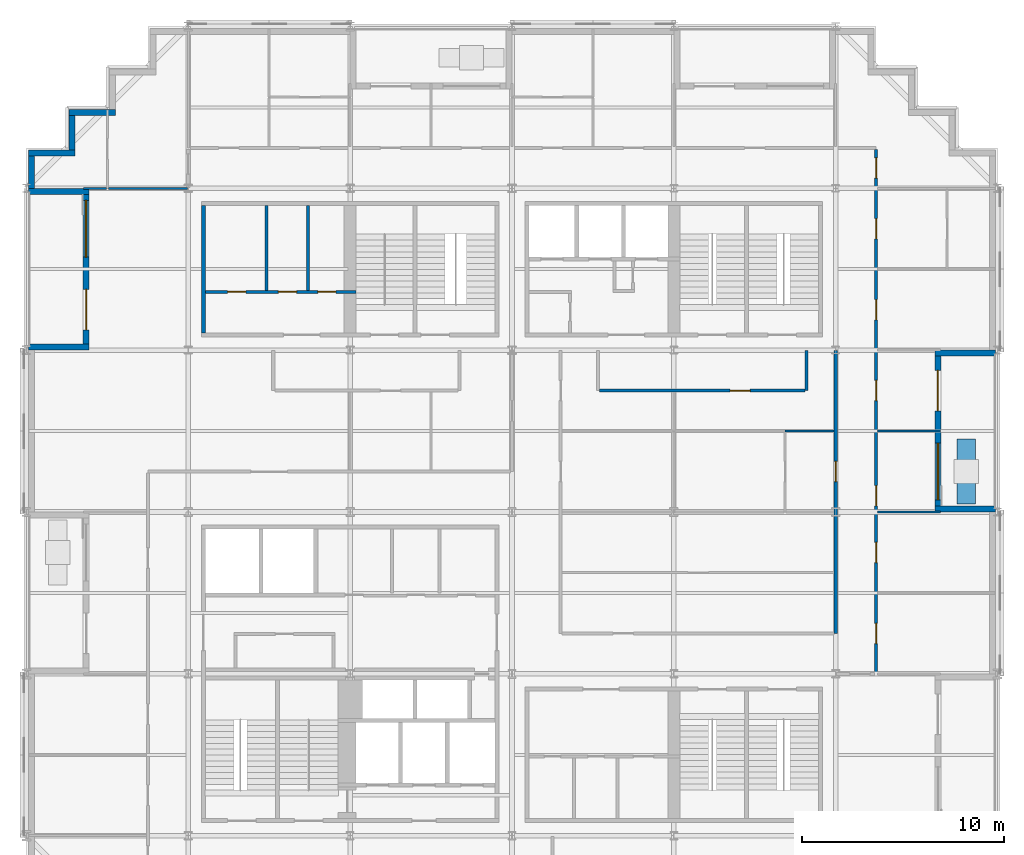
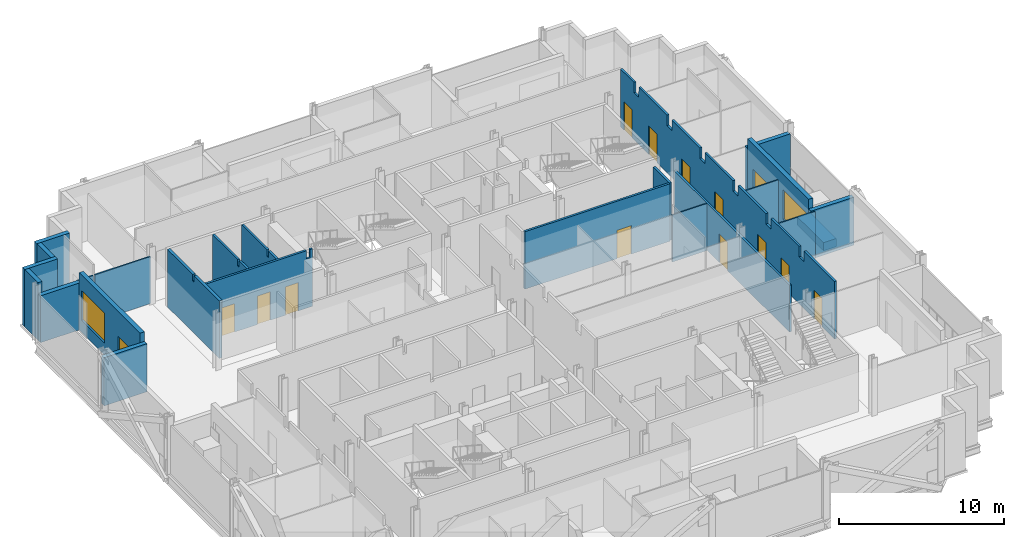
# One storey, part 9 of 15: 24 walls, 14 doors, 2 windows, 16 openings.
"""IFC4 building model written with IfcOpenShell, lengths in metres."""

import ifcopenshell
import ifcopenshell.guid

model = None  # the IFC model being written
_history = None  # IfcOwnerHistory: only IFC2X3 demands one
_inside = {}  # id of a spatial element -> (the spatial element, [elements in it])
_under = {}  # id of a project, library or spatial element -> (it, [spatial elements below it])
_declared = {}  # id of a project -> (the project, [libraries it declares])
_typed = {}  # id of a type object -> (the type object, [elements of that type])
_made_of = {}  # id of a material, layer set ... -> (it, [elements and type objects made of it])


def new_model(schema):
    """Start an empty IFC model of exactly this schema.

    Asked for "IFC4X3", IfcOpenShell would pick the latest addendum, in which some entities
    have other attributes; the version numbers below select the first issue.
    IFC2X3 requires an IfcOwnerHistory on every rooted entity: one is made here for all.
    """
    global model, _history
    if schema == "IFC4X3":
        model = ifcopenshell.file(schema_version=(4, 3, 0, 0))
    else:
        model = ifcopenshell.file(schema=schema)
    _inside.clear()
    _under.clear()
    _declared.clear()
    _typed.clear()
    _made_of.clear()
    _history = None
    if model.schema == "IFC2X3":
        org = make("IfcOrganization", Name="unknown")
        user = make(
            "IfcPersonAndOrganization",
            ThePerson=make("IfcPerson", FamilyName="unknown"),
            TheOrganization=org,
        )
        app = make(
            "IfcApplication",
            ApplicationDeveloper=org,
            Version="unknown",
            ApplicationFullName="unknown",
            ApplicationIdentifier="unknown",
        )
        _history = make(
            "IfcOwnerHistory",
            OwningUser=user,
            OwningApplication=app,
            ChangeAction="ADDED",
            CreationDate=0,
        )
    return model


def make(cls, **values):
    """One entity of the class cls with the attributes given. An attribute that is None is left unset."""
    return model.create_entity(
        cls, **{name: value for name, value in values.items() if value is not None}
    )


def rooted(cls, **values):
    """An entity with a GlobalId (a new one), such as an element, a storey or a relation."""
    return make(cls, GlobalId=ifcopenshell.guid.new(), OwnerHistory=_history, **values)


def si_unit(unit_type, name, prefix=None):
    """IfcSIUnit, for example si_unit("LENGTHUNIT", "METRE", prefix="MILLI")."""
    return make("IfcSIUnit", UnitType=unit_type, Prefix=prefix, Name=name)


def assignment(units):
    """IfcUnitAssignment: the units of a project."""
    return None if units is None else make("IfcUnitAssignment", Units=units)


def point(xyz):
    """IfcCartesianPoint."""
    return None if xyz is None else make("IfcCartesianPoint", Coordinates=xyz)


def direction(xyz):
    """IfcDirection."""
    return None if xyz is None else make("IfcDirection", DirectionRatios=xyz)


def frame(location, z_axis=None, x_axis=None):
    """IfcAxis2Placement3D, a coordinate frame: its origin and axes. An axis left out is left unset."""
    return make(
        "IfcAxis2Placement3D",
        Location=point(location),
        Axis=direction(z_axis),
        RefDirection=direction(x_axis),
    )


def frame_2d(location, x_axis=None):
    """IfcAxis2Placement2D, a coordinate frame in the plane: its origin and x axis."""
    return make(
        "IfcAxis2Placement2D", Location=point(location), RefDirection=direction(x_axis)
    )


def origin():
    """The frame at (0, 0, 0) with its axes left unset."""
    return frame((0.0, 0.0, 0.0))


def place(relative_to, where):
    """IfcLocalPlacement: puts the frame where relative to a parent placement (None: the world)."""
    return make(
        "IfcLocalPlacement", PlacementRelTo=relative_to, RelativePlacement=where
    )


def context(
    kind, dimensions, precision=None, world=None, true_north=None, identifier=None
):
    """IfcGeometricRepresentationContext, for example the 3D "Model" context."""
    return make(
        "IfcGeometricRepresentationContext",
        ContextIdentifier=identifier,
        ContextType=kind,
        CoordinateSpaceDimension=dimensions,
        Precision=precision,
        WorldCoordinateSystem=world,
        TrueNorth=true_north,
    )


def subcontext(parent, identifier, kind, view, scale=None):
    """IfcGeometricRepresentationSubContext, for example "Body" below "Model"."""
    return make(
        "IfcGeometricRepresentationSubContext",
        ContextIdentifier=identifier,
        ContextType=kind,
        ParentContext=parent,
        TargetScale=scale,
        TargetView=view,
    )


def project(units=None, contexts=None):
    """IfcProject with its units and contexts."""
    return rooted(
        "IfcProject",
        Name="project",
        RepresentationContexts=contexts,
        UnitsInContext=assignment(units),
    )


def spatial(cls, under=None, at=None, **own):
    """A site, building, storey or space (cls), placed at a placement, below another one or the project."""
    s = rooted(cls, ObjectPlacement=at, **own)
    if under is not None:
        _under.setdefault(under.id(), (under, []))[1].append(s)
    return s


def polyline(points):
    """IfcPolyline through the points."""
    return make("IfcPolyline", Points=[point(p) for p in points])


def profile(cls, at=None, kind="AREA", **sizes):
    """A parametric profile (cls). Its sizes go by their IFC names, for example OverallWidth=200.0."""
    return make(cls, ProfileType=kind, Position=at, **sizes)


def rectangle(**sizes):
    """IfcRectangleProfileDef."""
    return profile("IfcRectangleProfileDef", **sizes)


def outline(outer, holes=None, kind="AREA"):
    """IfcArbitraryClosedProfileDef: a profile drawn as a closed curve; with holes, ...WithVoids."""
    if holes is None:
        return make("IfcArbitraryClosedProfileDef", ProfileType=kind, OuterCurve=outer)
    return make(
        "IfcArbitraryProfileDefWithVoids",
        ProfileType=kind,
        OuterCurve=outer,
        InnerCurves=holes,
    )


def extrude(swept, where, along, depth):
    """IfcExtrudedAreaSolid: the profile swept, set in the frame where, extruded along a direction by depth."""
    return make(
        "IfcExtrudedAreaSolid",
        SweptArea=swept,
        Position=where,
        ExtrudedDirection=direction(along),
        Depth=depth,
    )


def shape(context_of_items, identifier, shape_type, items):
    """IfcShapeRepresentation: the items that make up one representation, for example the "Body"."""
    return make(
        "IfcShapeRepresentation",
        ContextOfItems=context_of_items,
        RepresentationIdentifier=identifier,
        RepresentationType=shape_type,
        Items=items,
    )


def material(Name=None, Category=None):
    """IfcMaterial."""
    return make("IfcMaterial", Name=Name, Category=Category)


def layer(
    of_material, thickness, ventilated=None, Name=None, Category=None, Priority=None
):
    """IfcMaterialLayer: one layer of a wall or slab, of a material (None: an air gap)."""
    return make(
        "IfcMaterialLayer",
        Material=of_material,
        LayerThickness=thickness,
        IsVentilated=ventilated,
        Name=Name,
        Category=Category,
        Priority=Priority,
    )


def layer_set(layers, Name=None):
    """IfcMaterialLayerSet."""
    return make("IfcMaterialLayerSet", MaterialLayers=layers, LayerSetName=Name)


def made_of(thing, what):
    """Note that an element or type object is made of a material, layer set ...; save() writes the relation."""
    if what is not None:
        _made_of.setdefault(what.id(), (what, []))[1].append(thing)
    return thing


def type_object(cls, material=None, **own):
    """A type object (cls), such as IfcWallType, which elements share."""
    return made_of(rooted(cls, **own), material)


def element(
    cls,
    number,
    at=None,
    inside=None,
    cuts=None,
    type_object=None,
    material=None,
    context=None,
    identifier="Body",
    shape_type=None,
    held_by="IfcProductDefinitionShape",
    body=None,
    shapes=None,
    **own,
):
    """One element of the class cls, such as IfcWall. Its Tag is "e" and its number.

    at: its placement. inside: the storey or other place that contains it. cuts: it is an
    opening in that element (IfcRelVoidsElement). A single representation is given by context,
    identifier, shape_type and body (its items); several are given by shapes. held_by: the class
    of the entity that holds the representations. save() writes the other relations.
    """
    e = rooted(cls, Tag="e%d" % number, ObjectPlacement=at, **own)
    if body is not None:
        shapes = [shape(context, identifier, shape_type, body)]
    if shapes is not None:
        e.Representation = make(held_by, Representations=shapes)
    if inside is not None:
        _inside.setdefault(inside.id(), (inside, []))[1].append(e)
    if cuts is not None:
        rooted(
            "IfcRelVoidsElement", RelatingBuildingElement=cuts, RelatedOpeningElement=e
        )
    if type_object is not None:
        _typed.setdefault(type_object.id(), (type_object, []))[1].append(e)
    return made_of(e, material)


def fill(opening, filler):
    """IfcRelFillsElement: the door or window that sits in an opening."""
    return rooted(
        "IfcRelFillsElement",
        RelatingOpeningElement=opening,
        RelatedBuildingElement=filler,
    )


def aggregate(whole, parts):
    """IfcRelAggregates: a whole, such as a stair, and the parts it consists of."""
    return rooted("IfcRelAggregates", RelatingObject=whole, RelatedObjects=parts)


def save(model, path):
    """Write the relations noted so far, then the file.

    IfcRelAggregates (storeys below a building ...), IfcRelContainedInSpatialStructure (elements
    in a storey), IfcRelDefinesByType, IfcRelAssociatesMaterial and IfcRelDeclares: one each for
    every whole, place, type object, material and project.
    """
    for whole, parts in _under.values():
        aggregate(whole, parts)
    for where, things in _inside.values():
        rooted(
            "IfcRelContainedInSpatialStructure",
            RelatedElements=things,
            RelatingStructure=where,
        )
    for kind, things in _typed.values():
        rooted("IfcRelDefinesByType", RelatedObjects=things, RelatingType=kind)
    for what, things in _made_of.values():
        rooted("IfcRelAssociatesMaterial", RelatedObjects=things, RelatingMaterial=what)
    for by, libraries in _declared.values():
        rooted("IfcRelDeclares", RelatingContext=by, RelatedDefinitions=libraries)
    model.write(path)


model = new_model("IFC4")

# Units and contexts
model_context = context("Model", 3, precision=1e-05, world=origin(), true_north=direction((0.0, 1.0)))
body_context = subcontext(model_context, "Body", "Model", "MODEL_VIEW")
ifc_project = project(units=[si_unit("LENGTHUNIT", "METRE"), si_unit("AREAUNIT", "SQUARE_METRE"), si_unit("VOLUMEUNIT", "CUBIC_METRE"), si_unit("PLANEANGLEUNIT", "RADIAN"), si_unit("MASSUNIT", "GRAM", prefix="KILO")], contexts=[model_context])

# Site, building, storey
site_placement = place(None, origin())
site = spatial("IfcSite", under=ifc_project, at=site_placement, CompositionType="ELEMENT")
building_placement = place(site_placement, origin())
building = spatial("IfcBuilding", under=site, at=building_placement, Name="Immortelle Media Tower", CompositionType="ELEMENT")
storey_placement = place(building_placement, frame((0.0, 0.0, 70.0)))
storey = spatial("IfcBuildingStorey", under=building, at=storey_placement, Name="L12", CompositionType="ELEMENT", Elevation=70.0)

# Wall, openings, doors
ifc_material_1 = material(Name="Fire-rated gypsum board", Category="gypsum")
ifc_layer_1 = layer(ifc_material_1, 0.02490234375)
ifc_material_2 = material(Name="Steel ASTM A653 SS Gr 50 stud frame with mineral wool", Category="steel")
ifc_layer_2 = layer(ifc_material_2, 0.10009765625)
ifc_layer_3 = layer(ifc_material_1, 0.02490234375)
ifc_layer_set_1 = layer_set([ifc_layer_1, ifc_layer_2, ifc_layer_3], Name="Steel ASTM A653 SS Gr 50 stud frame with mineral wool")
wall_type_1 = type_object("IfcWallType", Name="Core partition 150", PredefinedType="PARTITIONING", material=ifc_layer_set_1)
wall_1_placement = place(storey_placement, frame((8.85009765625, 34.875, 0.0), z_axis=(0.0, 0.0, 1.0), x_axis=(1.0, 0.0, 0.0)))
wall_1 = element("IfcWall", 1, at=wall_1_placement, inside=storey, type_object=wall_type_1, Name="Core partition NW", PredefinedType="PARTITIONING", context=body_context, shape_type="SweptSolid", body=[
    extrude(outline(polyline([(0.0, 0.0), (7.449951171875, 0.0), (7.449951171875, 4.25), (7.26953125, 4.25), (7.2685546875, 3.632080078125), (7.031494140625, 3.632080078125), (7.030517578125, 4.25), (0.0, 4.25), (0.0, 0.0)])), frame((0.0, 0.074951171875, 0.0), z_axis=(0.0, -1.0, 0.0), x_axis=(1.0, 0.0, 0.0)), (0.0, 0.0, 1.0), 0.14990234375),
])
opening_1_placement = place(wall_1_placement, frame((1.10009765625, 0.0, 0.0)))
opening_1 = element("IfcOpeningElement", 2, at=opening_1_placement, cuts=wall_1, Name="Opening N3-K043", PredefinedType="OPENING", context=body_context, shape_type="SweptSolid", body=[
    extrude(rectangle(XDim=0.89990234375, YDim=2.10009765625, at=frame_2d((0.449951171875, 1.050048828125))), frame((0.0, 0.0849609375, 0.0), z_axis=(0.0, -1.0, 0.0), x_axis=(1.0, 0.0, 0.0)), (0.0, 0.0, 1.0), 0.169921875),
])
opening_2_placement = place(wall_1_placement, frame((3.60009765625, 0.0, 0.0)))
opening_2 = element("IfcOpeningElement", 3, at=opening_2_placement, cuts=wall_1, Name="Opening N3-K044", PredefinedType="OPENING", context=body_context, shape_type="SweptSolid", body=[
    extrude(rectangle(XDim=0.89990234375, YDim=2.10009765625, at=frame_2d((0.449951171875, 1.050048828125))), frame((0.0, 0.0849609375, 0.0), z_axis=(0.0, -1.0, 0.0), x_axis=(1.0, 0.0, 0.0)), (0.0, 0.0, 1.0), 0.169921875),
])
opening_3_placement = place(wall_1_placement, frame((5.550048828125, 0.0, 0.0)))
opening_3 = element("IfcOpeningElement", 4, at=opening_3_placement, cuts=wall_1, Name="Opening N3-K045", PredefinedType="OPENING", context=body_context, shape_type="SweptSolid", body=[
    extrude(rectangle(XDim=0.89990234375, YDim=2.10009765625, at=frame_2d((0.449951171875, 1.050048828125))), frame((0.0, 0.0849609375, 0.0), z_axis=(0.0, -1.0, 0.0), x_axis=(1.0, 0.0, 0.0)), (0.0, 0.0, 1.0), 0.169921875),
])
ifc_material_3 = material(Name="Timber", Category="wood")
door_type_1 = type_object("IfcDoorType", Name="Room door 900 x 2100", OperationType="NOTDEFINED", PredefinedType="NOTDEFINED", material=ifc_material_3)
door_1_placement = place(opening_1_placement, origin())
door_1 = element("IfcDoor", 5, at=door_1_placement, inside=storey, type_object=door_type_1, Name="Room N3-K043", OperationType="SINGLE_SWING_RIGHT", OverallHeight=2.10009765625, OverallWidth=0.89990234375, PredefinedType="NOTDEFINED", context=body_context, shape_type="SweptSolid", body=[
    extrude(rectangle(XDim=0.89990234375, YDim=2.10009765625, at=frame_2d((0.449951171875, 1.050048828125))), frame((0.0, 0.02490234375, 0.0), z_axis=(0.0, -1.0, 0.0), x_axis=(1.0, 0.0, 0.0)), (0.0, 0.0, 1.0), 0.050048828125),
])
fill(opening_1, door_1)
door_2_placement = place(opening_2_placement, origin())
door_2 = element("IfcDoor", 6, at=door_2_placement, inside=storey, type_object=door_type_1, Name="Room N3-K044", OperationType="SINGLE_SWING_RIGHT", OverallHeight=2.10009765625, OverallWidth=0.89990234375, PredefinedType="NOTDEFINED", context=body_context, shape_type="SweptSolid", body=[
    extrude(rectangle(XDim=0.89990234375, YDim=2.10009765625, at=frame_2d((0.449951171875, 1.050048828125))), frame((0.0, 0.02490234375, 0.0), z_axis=(0.0, -1.0, 0.0), x_axis=(1.0, 0.0, 0.0)), (0.0, 0.0, 1.0), 0.050048828125),
])
fill(opening_2, door_2)
ifc_material_4 = material(Name="Galvanised steel door leaf and frame ASTM A653", Category="steel")
door_type_2 = type_object("IfcDoorType", Name="Service door 900 x 2100", OperationType="NOTDEFINED", PredefinedType="NOTDEFINED", material=ifc_material_4)
door_3_placement = place(opening_3_placement, origin())
door_3 = element("IfcDoor", 7, at=door_3_placement, inside=storey, type_object=door_type_2, Name="Service N3-K045", OperationType="SINGLE_SWING_LEFT", OverallHeight=2.10009765625, OverallWidth=0.89990234375, PredefinedType="NOTDEFINED", context=body_context, shape_type="SweptSolid", body=[
    extrude(rectangle(XDim=0.89990234375, YDim=2.10009765625, at=frame_2d((0.449951171875, 1.050048828125))), frame((0.0, 0.02490234375, 0.0), z_axis=(0.0, -1.0, 0.0), x_axis=(1.0, 0.0, 0.0)), (0.0, 0.0, 1.0), 0.050048828125),
])
fill(opening_3, door_3)

# Walls
for number, where, z_axis, x_axis, name in (
    (8, (11.875, 34.949951171875, 0.0), (0.0, 0.0, 1.0), (0.0, 1.0, 0.0), "Core partition NW"),
    (9, (13.925048828125, 34.949951171875, 0.0), (0.0, 0.0, 1.0), (0.0, 1.0, 0.0), "Core partition NW"),
):
    element("IfcWall", number, at=place(storey_placement, frame(where, z_axis=z_axis, x_axis=x_axis)), inside=storey, type_object=wall_type_1, Name=name, PredefinedType="PARTITIONING", context=body_context, shape_type="SweptSolid", body=[
        extrude(outline(polyline([(0.0, 0.0), (4.199951171875, 0.0), (4.199951171875, 4.25), (1.131591796875, 4.25), (1.130615234375, 3.7890625), (0.969482421875, 3.7890625), (0.968505859375, 4.25), (0.0, 4.25), (0.0, 0.0)])), frame((0.0, 0.074951171875, 0.0), z_axis=(0.0, -1.0, 0.0), x_axis=(1.0, 0.0, 0.0)), (0.0, 0.0, 1.0), 0.14990234375),
    ])
ifc_layer_4 = layer(ifc_material_1, 0.03759765625)
ifc_layer_5 = layer(ifc_material_2, 0.125)
ifc_layer_6 = layer(ifc_material_1, 0.03759765625)
ifc_layer_set_2 = layer_set([ifc_layer_4, ifc_layer_5, ifc_layer_6], Name="Steel ASTM A653 SS Gr 50 stud frame with mineral wool")
wall_type_2 = type_object("IfcWallType", Name="Core shaft wall 200", PredefinedType="PARTITIONING", material=ifc_layer_set_2)
wall_2_placement = place(storey_placement, frame((8.75, 32.85009765625, 0.0), z_axis=(0.0, 0.0, 1.0), x_axis=(0.0, 1.0, 0.0)))
element("IfcWall", 10, at=wall_2_placement, inside=storey, type_object=wall_type_2, Name="Core shaft wall NW", PredefinedType="PARTITIONING", context=body_context, shape_type="SweptSolid", body=[
    extrude(outline(polyline([(0.0, 0.0), (6.2998046875, 0.0), (6.300048828125, 4.25), (3.2314453125, 4.25), (3.23046875, 3.7890625), (3.069580078125, 3.7890625), (3.068603515625, 4.25), (0.0, 4.25), (0.0, 0.0)])), frame((0.0, 0.10009765625, 0.0), z_axis=(0.0, -1.0, 0.0), x_axis=(1.0, 0.0, 0.0)), (0.0, 0.0, 1.0), 0.199951171875),
])

# Wall, openings, doors
ifc_layer_7 = layer(ifc_material_1, 0.012451171875)
ifc_layer_8 = layer(ifc_material_2, 0.125)
ifc_layer_9 = layer(ifc_material_1, 0.012451171875)
ifc_layer_set_3 = layer_set([ifc_layer_7, ifc_layer_8, ifc_layer_9], Name="Steel ASTM A653 SS Gr 50 stud frame with mineral wool")
wall_type_3 = type_object("IfcWallType", Name="Corridor wall 150", PredefinedType="PARTITIONING", material=ifc_layer_set_3)
wall_3_placement = place(storey_placement, frame((42.0, 16.0, 0.0), z_axis=(0.0, 0.0, 1.0), x_axis=(0.0, 1.0, 0.0)))
wall_3 = element("IfcWall", 11, at=wall_3_placement, inside=storey, type_object=wall_type_3, Name="Partition L12-017", PredefinedType="PARTITIONING", context=body_context, shape_type="SweptSolid", body=[
    extrude(outline(polyline([(0.0, 0.0), (25.925048828125, 0.0), (25.925048828125, 4.25), (24.300048828125, 4.25), (24.298095703125, 3.469970703125), (23.701904296875, 3.469970703125), (23.699951171875, 4.25), (20.300048828125, 4.25), (20.298095703125, 3.469970703125), (19.701904296875, 3.469970703125), (19.699951171875, 4.25), (16.300048828125, 4.25), (16.298095703125, 3.469970703125), (15.701904296875, 3.469970703125), (15.699951171875, 4.25), (12.300048828125, 4.25), (12.298095703125, 3.469970703125), (11.701904296875, 3.469970703125), (11.699951171875, 4.25), (8.300048828125, 4.25), (8.298095703125, 3.469970703125), (7.701904296875, 3.469970703125), (7.699951171875, 4.25), (4.300048828125, 4.25), (4.298095703125, 3.469970703125), (3.701904296875, 3.469970703125), (3.699951171875, 4.25), (0.0, 4.25), (0.0, 0.0)])), frame((0.0, 0.074951171875, 0.0), z_axis=(0.0, -1.0, 0.0), x_axis=(1.0, 0.0, 0.0)), (0.0, 0.0, 1.0), 0.14990234375),
])
opening_4_placement = place(wall_3_placement, frame((2.5, 0.0, 0.0), z_axis=(0.0, 0.0, 1.0), x_axis=(-1.0, 0.0, 0.0)))
opening_4 = element("IfcOpeningElement", 12, at=opening_4_placement, cuts=wall_3, Name="Opening N3-F012", PredefinedType="OPENING", context=body_context, shape_type="SweptSolid", body=[
    extrude(rectangle(XDim=1.0, YDim=2.10009765625, at=frame_2d((0.5, 1.050048828125))), frame((0.0, 0.0849609375, 0.0), z_axis=(0.0, -1.0, 0.0), x_axis=(1.0, 0.0, 0.0)), (0.0, 0.0, 1.0), 0.169921875),
])
opening_5_placement = place(wall_3_placement, frame((6.5, 0.0, 0.0), z_axis=(0.0, 0.0, 1.0), x_axis=(-1.0, 0.0, 0.0)))
opening_5 = element("IfcOpeningElement", 13, at=opening_5_placement, cuts=wall_3, Name="Opening N3-F013", PredefinedType="OPENING", context=body_context, shape_type="SweptSolid", body=[
    extrude(rectangle(XDim=1.0, YDim=2.10009765625, at=frame_2d((0.5, 1.050048828125))), frame((0.0, 0.0849609375, 0.0), z_axis=(0.0, -1.0, 0.0), x_axis=(1.0, 0.0, 0.0)), (0.0, 0.0, 1.0), 0.169921875),
])
opening_6_placement = place(wall_3_placement, frame((9.300048828125, 0.0, 0.0), z_axis=(0.0, 0.0, 1.0), x_axis=(-1.0, 0.0, 0.0)))
opening_6 = element("IfcOpeningElement", 14, at=opening_6_placement, cuts=wall_3, Name="Opening N3-F021", PredefinedType="OPENING", context=body_context, shape_type="SweptSolid", body=[
    extrude(rectangle(XDim=1.0, YDim=2.10009765625, at=frame_2d((0.5, 1.050048828125))), frame((0.0, 0.0849609375, 0.0), z_axis=(0.0, -1.0, 0.0), x_axis=(1.0, 0.0, 0.0)), (0.0, 0.0, 1.0), 0.169921875),
])
opening_7_placement = place(wall_3_placement, frame((14.5, 0.0, 0.0), z_axis=(0.0, 0.0, 1.0), x_axis=(-1.0, 0.0, 0.0)))
opening_7 = element("IfcOpeningElement", 15, at=opening_7_placement, cuts=wall_3, Name="Opening N3-F022", PredefinedType="OPENING", context=body_context, shape_type="SweptSolid", body=[
    extrude(rectangle(XDim=1.0, YDim=2.10009765625, at=frame_2d((0.5, 1.050048828125))), frame((0.0, 0.0849609375, 0.0), z_axis=(0.0, -1.0, 0.0), x_axis=(1.0, 0.0, 0.0)), (0.0, 0.0, 1.0), 0.169921875),
])
opening_8_placement = place(wall_3_placement, frame((18.5, 0.0, 0.0), z_axis=(0.0, 0.0, 1.0), x_axis=(-1.0, 0.0, 0.0)))
opening_8 = element("IfcOpeningElement", 16, at=opening_8_placement, cuts=wall_3, Name="Opening N3-F026", PredefinedType="OPENING", context=body_context, shape_type="SweptSolid", body=[
    extrude(rectangle(XDim=1.0, YDim=2.10009765625, at=frame_2d((0.5, 1.050048828125))), frame((0.0, 0.0849609375, 0.0), z_axis=(0.0, -1.0, 0.0), x_axis=(1.0, 0.0, 0.0)), (0.0, 0.0, 1.0), 0.169921875),
])
opening_9_placement = place(wall_3_placement, frame((22.5, 0.0, 0.0), z_axis=(0.0, 0.0, 1.0), x_axis=(-1.0, 0.0, 0.0)))
opening_9 = element("IfcOpeningElement", 17, at=opening_9_placement, cuts=wall_3, Name="Opening N3-F027", PredefinedType="OPENING", context=body_context, shape_type="SweptSolid", body=[
    extrude(rectangle(XDim=1.0, YDim=2.10009765625, at=frame_2d((0.5, 1.050048828125))), frame((0.0, 0.0849609375, 0.0), z_axis=(0.0, -1.0, 0.0), x_axis=(1.0, 0.0, 0.0)), (0.0, 0.0, 1.0), 0.169921875),
])
opening_10_placement = place(wall_3_placement, frame((25.5, 0.0, 0.0), z_axis=(0.0, 0.0, 1.0), x_axis=(-1.0, 0.0, 0.0)))
opening_10 = element("IfcOpeningElement", 18, at=opening_10_placement, cuts=wall_3, Name="Opening N3-F031", PredefinedType="OPENING", context=body_context, shape_type="SweptSolid", body=[
    extrude(rectangle(XDim=1.0, YDim=2.10009765625, at=frame_2d((0.5, 1.050048828125))), frame((0.0, 0.0849609375, 0.0), z_axis=(0.0, -1.0, 0.0), x_axis=(1.0, 0.0, 0.0)), (0.0, 0.0, 1.0), 0.169921875),
])
ifc_material_5 = material(Name="Timber veneered door leaf, galvanised steel frame ASTM A653", Category="steel")
door_type_3 = type_object("IfcDoorType", Name="Room door 1000 x 2100", OperationType="NOTDEFINED", PredefinedType="DOOR", material=ifc_material_5)
door_4_placement = place(opening_4_placement, origin())
door_4 = element("IfcDoor", 19, at=door_4_placement, inside=storey, type_object=door_type_3, Name="Door N3-F012", OperationType="SINGLE_SWING_RIGHT", OverallHeight=2.10009765625, OverallWidth=1.0, PredefinedType="DOOR", context=body_context, shape_type="SweptSolid", body=[
    extrude(rectangle(XDim=1.0, YDim=2.10009765625, at=frame_2d((0.5, 1.050048828125))), frame((0.0, 0.02490234375, 0.0), z_axis=(0.0, -1.0, 0.0), x_axis=(1.0, 0.0, 0.0)), (0.0, 0.0, 1.0), 0.050048828125),
])
fill(opening_4, door_4)
door_5_placement = place(opening_5_placement, origin())
door_5 = element("IfcDoor", 20, at=door_5_placement, inside=storey, type_object=door_type_3, Name="Door N3-F013", OperationType="SINGLE_SWING_LEFT", OverallHeight=2.10009765625, OverallWidth=1.0, PredefinedType="DOOR", context=body_context, shape_type="SweptSolid", body=[
    extrude(rectangle(XDim=1.0, YDim=2.10009765625, at=frame_2d((0.5, 1.050048828125))), frame((0.0, 0.02490234375, 0.0), z_axis=(0.0, -1.0, 0.0), x_axis=(1.0, 0.0, 0.0)), (0.0, 0.0, 1.0), 0.050048828125),
])
fill(opening_5, door_5)
door_6_placement = place(opening_6_placement, origin())
door_6 = element("IfcDoor", 21, at=door_6_placement, inside=storey, type_object=door_type_3, Name="Door N3-F021", OperationType="SINGLE_SWING_RIGHT", OverallHeight=2.10009765625, OverallWidth=1.0, PredefinedType="DOOR", context=body_context, shape_type="SweptSolid", body=[
    extrude(rectangle(XDim=1.0, YDim=2.10009765625, at=frame_2d((0.5, 1.050048828125))), frame((0.0, 0.02490234375, 0.0), z_axis=(0.0, -1.0, 0.0), x_axis=(1.0, 0.0, 0.0)), (0.0, 0.0, 1.0), 0.050048828125),
])
fill(opening_6, door_6)
door_7_placement = place(opening_7_placement, origin())
door_7 = element("IfcDoor", 22, at=door_7_placement, inside=storey, type_object=door_type_3, Name="Door N3-F022", OperationType="SINGLE_SWING_RIGHT", OverallHeight=2.10009765625, OverallWidth=1.0, PredefinedType="DOOR", context=body_context, shape_type="SweptSolid", body=[
    extrude(rectangle(XDim=1.0, YDim=2.10009765625, at=frame_2d((0.5, 1.050048828125))), frame((0.0, 0.02490234375, 0.0), z_axis=(0.0, -1.0, 0.0), x_axis=(1.0, 0.0, 0.0)), (0.0, 0.0, 1.0), 0.050048828125),
])
fill(opening_7, door_7)
door_8_placement = place(opening_8_placement, origin())
door_8 = element("IfcDoor", 23, at=door_8_placement, inside=storey, type_object=door_type_3, Name="Door N3-F026", OperationType="SINGLE_SWING_LEFT", OverallHeight=2.10009765625, OverallWidth=1.0, PredefinedType="DOOR", context=body_context, shape_type="SweptSolid", body=[
    extrude(rectangle(XDim=1.0, YDim=2.10009765625, at=frame_2d((0.5, 1.050048828125))), frame((0.0, 0.02490234375, 0.0), z_axis=(0.0, -1.0, 0.0), x_axis=(1.0, 0.0, 0.0)), (0.0, 0.0, 1.0), 0.050048828125),
])
fill(opening_8, door_8)
door_9_placement = place(opening_9_placement, origin())
door_9 = element("IfcDoor", 24, at=door_9_placement, inside=storey, type_object=door_type_3, Name="Door N3-F027", OperationType="SINGLE_SWING_RIGHT", OverallHeight=2.10009765625, OverallWidth=1.0, PredefinedType="DOOR", context=body_context, shape_type="SweptSolid", body=[
    extrude(rectangle(XDim=1.0, YDim=2.10009765625, at=frame_2d((0.5, 1.050048828125))), frame((0.0, 0.02490234375, 0.0), z_axis=(0.0, -1.0, 0.0), x_axis=(1.0, 0.0, 0.0)), (0.0, 0.0, 1.0), 0.050048828125),
])
fill(opening_9, door_9)
door_10_placement = place(opening_10_placement, origin())
door_10 = element("IfcDoor", 25, at=door_10_placement, inside=storey, type_object=door_type_3, Name="Door N3-F031", OperationType="SINGLE_SWING_RIGHT", OverallHeight=2.10009765625, OverallWidth=1.0, PredefinedType="DOOR", context=body_context, shape_type="SweptSolid", body=[
    extrude(rectangle(XDim=1.0, YDim=2.10009765625, at=frame_2d((0.5, 1.050048828125))), frame((0.0, 0.02490234375, 0.0), z_axis=(0.0, -1.0, 0.0), x_axis=(1.0, 0.0, 0.0)), (0.0, 0.0, 1.0), 0.050048828125),
])
fill(opening_10, door_10)

# Wall, opening, door
wall_4_placement = place(storey_placement, frame((40.0, 18.0, 0.0), z_axis=(0.0, 0.0, 1.0), x_axis=(0.0, 1.0, 0.0)))
wall_4 = element("IfcWall", 26, at=wall_4_placement, inside=storey, type_object=wall_type_3, Name="Partition L12-020", PredefinedType="PARTITIONING", context=body_context, shape_type="SweptSolid", body=[
    extrude(rectangle(XDim=13.969970703125, YDim=0.14990234375, at=frame_2d((6.98486328125, 0.0))), origin(), (0.0, 0.0, 1.0), 3.469970703125),
])
opening_11_placement = place(wall_4_placement, frame((7.5, 0.0, 0.0)))
opening_11 = element("IfcOpeningElement", 27, at=opening_11_placement, cuts=wall_4, Name="Opening N3-F016", PredefinedType="OPENING", context=body_context, shape_type="SweptSolid", body=[
    extrude(rectangle(XDim=1.0, YDim=2.10009765625, at=frame_2d((0.5, 1.050048828125))), frame((0.0, 0.0849609375, 0.0), z_axis=(0.0, -1.0, 0.0), x_axis=(1.0, 0.0, 0.0)), (0.0, 0.0, 1.0), 0.169921875),
])
door_11_placement = place(opening_11_placement, origin())
door_11 = element("IfcDoor", 28, at=door_11_placement, inside=storey, type_object=door_type_3, Name="Door N3-F016", OperationType="SINGLE_SWING_RIGHT", OverallHeight=2.10009765625, OverallWidth=1.0, PredefinedType="DOOR", context=body_context, shape_type="SweptSolid", body=[
    extrude(rectangle(XDim=1.0, YDim=2.10009765625, at=frame_2d((0.5, 1.050048828125))), frame((0.0, 0.02490234375, 0.0), z_axis=(0.0, -1.0, 0.0), x_axis=(1.0, 0.0, 0.0)), (0.0, 0.0, 1.0), 0.050048828125),
])
fill(opening_11, door_11)

wall_5_placement = place(storey_placement, frame((28.324951171875, 30.0, 0.0), z_axis=(0.0, 0.0, 1.0), x_axis=(1.0, 0.0, 0.0)))
wall_5 = element("IfcWall", 29, at=wall_5_placement, inside=storey, type_object=wall_type_3, Name="Partition L12-042", PredefinedType="PARTITIONING", context=body_context, shape_type="SweptSolid", body=[
    extrude(rectangle(XDim=10.150146484375, YDim=0.14990234375, at=frame_2d((5.0751953125, 0.0))), origin(), (0.0, 0.0, 1.0), 4.25),
])
opening_12_placement = place(wall_5_placement, frame((7.449951171875, 0.0, 0.0), z_axis=(0.0, 0.0, 1.0), x_axis=(-1.0, 0.0, 0.0)))
opening_12 = element("IfcOpeningElement", 30, at=opening_12_placement, cuts=wall_5, Name="Opening N3-F018", PredefinedType="OPENING", context=body_context, shape_type="SweptSolid", body=[
    extrude(rectangle(XDim=1.0, YDim=2.10009765625, at=frame_2d((0.5, 1.050048828125))), frame((0.0, 0.0849609375, 0.0), z_axis=(0.0, -1.0, 0.0), x_axis=(1.0, 0.0, 0.0)), (0.0, 0.0, 1.0), 0.169921875),
])
door_12_placement = place(opening_12_placement, origin())
door_12 = element("IfcDoor", 31, at=door_12_placement, inside=storey, type_object=door_type_3, Name="Door N3-F018", OperationType="SINGLE_SWING_RIGHT", OverallHeight=2.10009765625, OverallWidth=1.0, PredefinedType="DOOR", context=body_context, shape_type="SweptSolid", body=[
    extrude(rectangle(XDim=1.0, YDim=2.10009765625, at=frame_2d((0.5, 1.050048828125))), frame((0.0, 0.02490234375, 0.0), z_axis=(0.0, -1.0, 0.0), x_axis=(1.0, 0.0, 0.0)), (0.0, 0.0, 1.0), 0.050048828125),
])
fill(opening_12, door_12)

# Walls
wall_6_placement = place(storey_placement, frame((38.550048828125, 30.0, 0.0), z_axis=(0.0, 0.0, 1.0), x_axis=(0.0, 1.0, 0.0)))
element("IfcWall", 32, at=wall_6_placement, inside=storey, type_object=wall_type_3, Name="Partition L12-044", PredefinedType="PARTITIONING", context=body_context, shape_type="SweptSolid", body=[
    extrude(rectangle(XDim=1.969970703125, YDim=0.14990234375, at=frame_2d((0.98486328125, 0.0))), origin(), (0.0, 0.0, 1.0), 4.25),
])
ifc_material_6 = material(Name="Pale aluminium cladding panel", Category="aluminium")
ifc_layer_10 = layer(ifc_material_6, 0.030029296875)
ifc_layer_11 = layer(ifc_material_2, 0.257568359375)
ifc_material_7 = material(Name="Moisture-resistant gypsum board", Category="gypsum")
ifc_layer_12 = layer(ifc_material_7, 0.012451171875)
ifc_layer_set_4 = layer_set([ifc_layer_10, ifc_layer_11, ifc_layer_12], Name="Steel ASTM A653 SS Gr 50 stud frame with mineral wool")
wall_type_4 = type_object("IfcWallType", Name="Facade wall 300", PredefinedType="SOLIDWALL", material=ifc_layer_set_4)
wall_7_placement = place(storey_placement, frame((0.25, 41.60009765625, 0.0), z_axis=(0.0, 0.0, 1.0), x_axis=(0.0, -1.0, 0.0)))
element("IfcWall", 33, at=wall_7_placement, inside=storey, type_object=wall_type_4, Name="Facade wall L12 W0", PredefinedType="SOLIDWALL", context=body_context, shape_type="SweptSolid", body=[
    extrude(rectangle(XDim=1.60009765625, YDim=0.300048828125, at=frame_2d((0.800048828125, 0.0))), origin(), (0.0, 0.0, 1.0), 4.25),
])

# Wall, openings, door, window
wall_8_placement = place(storey_placement, frame((2.949951171875, 39.699951171875, 0.0), z_axis=(0.0, 0.0, 1.0), x_axis=(0.0, -1.0, 0.0)))
wall_8 = element("IfcWall", 34, at=wall_8_placement, inside=storey, type_object=wall_type_4, Name="Loggia wall L12 W0", PredefinedType="SOLIDWALL", context=body_context, shape_type="SweptSolid", body=[
    extrude(rectangle(XDim=7.39990234375, YDim=0.300048828125, at=frame_2d((3.699951171875, 0.0))), origin(), (0.0, 0.0, 1.0), 4.25),
])
opening_13_placement = place(wall_8_placement, frame((0.300048828125, 0.0, 0.89990234375)))
opening_13 = element("IfcOpeningElement", 35, at=opening_13_placement, cuts=wall_8, Name="Opening W1", PredefinedType="OPENING", context=body_context, shape_type="SweptSolid", body=[
    extrude(rectangle(XDim=2.800048828125, YDim=2.199951171875, at=frame_2d((1.39990234375, 1.10009765625))), frame((0.0, 0.159912109375, 0.0), z_axis=(0.0, -1.0, 0.0), x_axis=(1.0, 0.0, 0.0)), (0.0, 0.0, 1.0), 0.320068359375),
])
opening_14_placement = place(wall_8_placement, frame((4.699951171875, 0.0, 0.0)))
opening_14 = element("IfcOpeningElement", 36, at=opening_14_placement, cuts=wall_8, Name="Opening N3-E001", PredefinedType="OPENING", context=body_context, shape_type="SweptSolid", body=[
    extrude(rectangle(XDim=2.0, YDim=2.39990234375, at=frame_2d((1.0, 1.199951171875))), frame((0.0, 0.159912109375, 0.0), z_axis=(0.0, -1.0, 0.0), x_axis=(1.0, 0.0, 0.0)), (0.0, 0.0, 1.0), 0.320068359375),
])
ifc_material_8 = material(Name="Aluminium frame, glazed leaves", Category="aluminium")
door_type_4 = type_object("IfcDoorType", Name="Loggia door 2000 x 2400", OperationType="DOUBLE_DOOR_SINGLE_SWING", PredefinedType="DOOR", material=ifc_material_8)
door_13_placement = place(opening_14_placement, origin())
door_13 = element("IfcDoor", 37, at=door_13_placement, inside=storey, type_object=door_type_4, Name="Door N3-E001", OperationType="DOUBLE_DOOR_SINGLE_SWING", OverallHeight=2.39990234375, OverallWidth=2.0, PredefinedType="DOOR", context=body_context, shape_type="SweptSolid", body=[
    extrude(rectangle(XDim=2.0, YDim=2.39990234375, at=frame_2d((1.0, 1.199951171875))), frame((0.0, 0.02490234375, 0.0), z_axis=(0.0, -1.0, 0.0), x_axis=(1.0, 0.0, 0.0)), (0.0, 0.0, 1.0), 0.050048828125),
])
fill(opening_14, door_13)
ifc_material_9 = material(Name="Aluminium frame", Category="aluminium")
window_type = type_object("IfcWindowType", Name="Window 2800 x 2200", PartitioningType="SINGLE_PANEL", PredefinedType="WINDOW", material=ifc_material_9)
window_1_placement = place(opening_13_placement, origin())
window_1 = element("IfcWindow", 38, at=window_1_placement, inside=storey, type_object=window_type, Name="Window L12 L12-R0-B0", OverallHeight=2.199951171875, OverallWidth=2.800048828125, PartitioningType="SINGLE_PANEL", PredefinedType="WINDOW", context=body_context, shape_type="SweptSolid", body=[
    extrude(rectangle(XDim=2.800048828125, YDim=2.199951171875, at=frame_2d((1.39990234375, 1.10009765625))), frame((0.0, 0.030029296875, 0.0), z_axis=(0.0, -1.0, 0.0), x_axis=(1.0, 0.0, 0.0)), (0.0, 0.0, 1.0), 0.06005859375),
])
fill(opening_13, window_1)

# Walls
wall_9_placement = place(storey_placement, frame((0.10009765625, 39.85009765625, 0.0), z_axis=(0.0, 0.0, 1.0), x_axis=(1.0, 0.0, 0.0)))
element("IfcWall", 39, at=wall_9_placement, inside=storey, type_object=wall_type_4, Name="Loggia cheek wall L12 W", PredefinedType="SOLIDWALL", context=body_context, shape_type="SweptSolid", body=[
    extrude(rectangle(XDim=3.0, YDim=0.300048828125, at=frame_2d((1.5, 0.0))), origin(), (0.0, 0.0, 1.0), 3.468994140625),
])
wall_10_placement = place(storey_placement, frame((0.10009765625, 32.14990234375, 0.0), z_axis=(0.0, 0.0, 1.0), x_axis=(1.0, 0.0, 0.0)))
element("IfcWall", 40, at=wall_10_placement, inside=storey, type_object=wall_type_4, Name="Loggia cheek wall L12 W", PredefinedType="SOLIDWALL", context=body_context, shape_type="SweptSolid", body=[
    extrude(rectangle(XDim=3.0, YDim=0.300048828125, at=frame_2d((1.5, 0.0))), origin(), (0.0, 0.0, 1.0), 3.555908203125),
])

# Wall, openings, door, window
wall_11_placement = place(storey_placement, frame((45.050048828125, 24.300048828125, 0.0), z_axis=(0.0, 0.0, 1.0), x_axis=(0.0, 1.0, 0.0)))
wall_11 = element("IfcWall", 41, at=wall_11_placement, inside=storey, type_object=wall_type_4, Name="Loggia wall L12 E14", PredefinedType="SOLIDWALL", context=body_context, shape_type="SweptSolid", body=[
    extrude(rectangle(XDim=7.39990234375, YDim=0.300048828125, at=frame_2d((3.699951171875, 0.0))), origin(), (0.0, 0.0, 1.0), 4.25),
])
opening_15_placement = place(wall_11_placement, frame((0.300048828125, 0.0, 0.89990234375)))
opening_15 = element("IfcOpeningElement", 42, at=opening_15_placement, cuts=wall_11, Name="Opening W1", PredefinedType="OPENING", context=body_context, shape_type="SweptSolid", body=[
    extrude(rectangle(XDim=2.800048828125, YDim=2.199951171875, at=frame_2d((1.39990234375, 1.10009765625))), frame((0.0, 0.159912109375, 0.0), z_axis=(0.0, -1.0, 0.0), x_axis=(1.0, 0.0, 0.0)), (0.0, 0.0, 1.0), 0.320068359375),
])
opening_16_placement = place(wall_11_placement, frame((4.699951171875, 0.0, 0.0)))
opening_16 = element("IfcOpeningElement", 43, at=opening_16_placement, cuts=wall_11, Name="Opening N3-E006", PredefinedType="OPENING", context=body_context, shape_type="SweptSolid", body=[
    extrude(rectangle(XDim=2.0, YDim=2.39990234375, at=frame_2d((1.0, 1.199951171875))), frame((0.0, 0.159912109375, 0.0), z_axis=(0.0, -1.0, 0.0), x_axis=(1.0, 0.0, 0.0)), (0.0, 0.0, 1.0), 0.320068359375),
])
door_14_placement = place(opening_16_placement, origin())
door_14 = element("IfcDoor", 44, at=door_14_placement, inside=storey, type_object=door_type_4, Name="Door N3-E006", OperationType="DOUBLE_DOOR_SINGLE_SWING", OverallHeight=2.39990234375, OverallWidth=2.0, PredefinedType="DOOR", context=body_context, shape_type="SweptSolid", body=[
    extrude(rectangle(XDim=2.0, YDim=2.39990234375, at=frame_2d((1.0, 1.199951171875))), frame((0.0, 0.02490234375, 0.0), z_axis=(0.0, -1.0, 0.0), x_axis=(1.0, 0.0, 0.0)), (0.0, 0.0, 1.0), 0.050048828125),
])
fill(opening_16, door_14)
window_2_placement = place(opening_15_placement, origin())
window_2 = element("IfcWindow", 45, at=window_2_placement, inside=storey, type_object=window_type, Name="Window L12 L12-R14-B2", OverallHeight=2.199951171875, OverallWidth=2.800048828125, PartitioningType="SINGLE_PANEL", PredefinedType="WINDOW", context=body_context, shape_type="SweptSolid", body=[
    extrude(rectangle(XDim=2.800048828125, YDim=2.199951171875, at=frame_2d((1.39990234375, 1.10009765625))), frame((0.0, 0.030029296875, 0.0), z_axis=(0.0, -1.0, 0.0), x_axis=(1.0, 0.0, 0.0)), (0.0, 0.0, 1.0), 0.06005859375),
])
fill(opening_15, window_2)

# Walls
for number, where, z_axis, x_axis, name in (
    (46, (47.89990234375, 24.14990234375, 0.0), (0.0, 0.0, 1.0), (-1.0, 0.0, 0.0), "Loggia cheek wall L12 E"),
    (47, (47.89990234375, 31.85009765625, 0.0), (0.0, 0.0, 1.0), (-1.0, 0.0, 0.0), "Loggia cheek wall L12 E"),
):
    element("IfcWall", number, at=place(storey_placement, frame(where, z_axis=z_axis, x_axis=x_axis)), inside=storey, type_object=wall_type_4, Name=name, PredefinedType="SOLIDWALL", context=body_context, shape_type="SweptSolid", body=[
        extrude(rectangle(XDim=3.0, YDim=0.300048828125, at=frame_2d((1.5, 0.0))), origin(), (0.0, 0.0, 1.0), 3.555908203125),
    ])
wall_12_placement = place(storey_placement, frame((4.39990234375, 43.75, 0.0), z_axis=(0.0, 0.0, 1.0), x_axis=(-1.0, 0.0, 0.0)))
element("IfcWall", 48, at=wall_12_placement, inside=storey, type_object=wall_type_4, Name="Facade wall L12 N25", PredefinedType="SOLIDWALL", context=body_context, shape_type="SweptSolid", body=[
    extrude(rectangle(XDim=2.2998046875, YDim=0.300048828125, at=frame_2d((1.14990234375, 0.0))), origin(), (0.0, 0.0, 1.0), 4.25),
])
wall_13_placement = place(storey_placement, frame((2.25, 43.60009765625, 0.0), z_axis=(0.0, 0.0, 1.0), x_axis=(0.0, -1.0, 0.0)))
element("IfcWall", 49, at=wall_13_placement, inside=storey, type_object=wall_type_4, Name="Facade wall L12 W26", PredefinedType="SOLIDWALL", context=body_context, shape_type="SweptSolid", body=[
    extrude(rectangle(XDim=1.7001953125, YDim=0.300048828125, at=frame_2d((0.85009765625, 0.0))), origin(), (0.0, 0.0, 1.0), 4.25),
])
wall_14_placement = place(storey_placement, frame((2.39990234375, 41.75, 0.0), z_axis=(0.0, 0.0, 1.0), x_axis=(-1.0, 0.0, 0.0)))
element("IfcWall", 50, at=wall_14_placement, inside=storey, type_object=wall_type_4, Name="Facade wall L12 N27", PredefinedType="SOLIDWALL", context=body_context, shape_type="SweptSolid", body=[
    extrude(rectangle(XDim=2.2998046875, YDim=0.300048828125, at=frame_2d((1.14990234375, 0.0))), origin(), (0.0, 0.0, 1.0), 4.25),
])
ifc_material_10 = material(Name="Gypsum board", Category="gypsum")
ifc_layer_13 = layer(ifc_material_10, 0.012451171875)
ifc_layer_14 = layer(ifc_material_2, 0.074951171875)
ifc_layer_15 = layer(ifc_material_10, 0.012451171875)
ifc_layer_set_5 = layer_set([ifc_layer_13, ifc_layer_14, ifc_layer_15], Name="Steel ASTM A653 SS Gr 50 stud frame with mineral wool")
wall_type_5 = type_object("IfcWallType", Name="Partition 100", PredefinedType="PARTITIONING", material=ifc_layer_set_5)
wall_15_placement = place(storey_placement, frame((42.074951171875, 24.0, 0.0), z_axis=(0.0, 0.0, 1.0), x_axis=(1.0, 0.0, 0.0)))
element("IfcWall", 51, at=wall_15_placement, inside=storey, type_object=wall_type_5, Name="Partition L12-029", PredefinedType="PARTITIONING", context=body_context, shape_type="SweptSolid", body=[
    extrude(rectangle(XDim=3.094970703125, YDim=0.10009765625, at=frame_2d((1.54736328125, 0.0))), origin(), (0.0, 0.0, 1.0), 3.469970703125),
])
wall_16_placement = place(storey_placement, frame((37.5, 28.0, 0.0), z_axis=(0.0, 0.0, 1.0), x_axis=(1.0, 0.0, 0.0)))
element("IfcWall", 52, at=wall_16_placement, inside=storey, type_object=wall_type_5, Name="Partition L12-037", PredefinedType="PARTITIONING", context=body_context, shape_type="SweptSolid", body=[
    extrude(rectangle(XDim=2.425048828125, YDim=0.10009765625, at=frame_2d((1.21240234375, 0.0))), origin(), (0.0, 0.0, 1.0), 3.469970703125),
])
wall_17_placement = place(storey_placement, frame((42.074951171875, 28.0, 0.0), z_axis=(0.0, 0.0, 1.0), x_axis=(1.0, 0.0, 0.0)))
element("IfcWall", 53, at=wall_17_placement, inside=storey, type_object=wall_type_5, Name="Partition L12-038", PredefinedType="PARTITIONING", context=body_context, shape_type="SweptSolid", body=[
    extrude(rectangle(XDim=3.094970703125, YDim=0.10009765625, at=frame_2d((1.54736328125, 0.0))), origin(), (0.0, 0.0, 1.0), 3.469970703125),
])
wall_18_placement = place(storey_placement, frame((2.830078125, 40.0, 0.0), z_axis=(0.0, 0.0, 1.0), x_axis=(1.0, 0.0, 0.0)))
element("IfcWall", 54, at=wall_18_placement, inside=storey, type_object=wall_type_5, Name="Partition L12-049", PredefinedType="PARTITIONING", context=body_context, shape_type="SweptSolid", body=[
    extrude(rectangle(XDim=1.119873046875, YDim=0.10009765625, at=frame_2d((0.56005859375, 0.0))), origin(), (0.0, 0.0, 1.0), 3.469970703125),
])
wall_19_placement = place(storey_placement, frame((4.050048828125, 40.0, 0.0), z_axis=(0.0, 0.0, 1.0), x_axis=(1.0, 0.0, 0.0)))
element("IfcWall", 55, at=wall_19_placement, inside=storey, type_object=wall_type_5, Name="Partition L12-050", PredefinedType="PARTITIONING", context=body_context, shape_type="SweptSolid", body=[
    extrude(rectangle(XDim=3.919921875, YDim=0.10009765625, at=frame_2d((1.9599609375, 0.0))), origin(), (0.0, 0.0, 1.0), 3.469970703125),
])
ifc_layer_16 = layer(ifc_material_6, 0.0029296875)
ifc_material_11 = material(Name="Steel ASTM A572 Gr 50 planter shell", Category="steel")
ifc_layer_17 = layer(ifc_material_11, 0.011962890625)
ifc_material_12 = material(Name="Planting substrate", Category="soil")
ifc_layer_18 = layer(ifc_material_12, 0.873046875)
ifc_layer_19 = layer(ifc_material_11, 0.011962890625)
ifc_layer_set_6 = layer_set([ifc_layer_16, ifc_layer_17, ifc_layer_18, ifc_layer_19], Name="Steel ASTM A572 Gr 50 planter shell")
wall_type_6 = type_object("IfcWallType", Name="Planter wall 900", PredefinedType="SOLIDWALL", material=ifc_layer_set_6)
wall_20_placement = place(storey_placement, frame((46.449951171875, 24.39990234375, 0.0), z_axis=(0.0, 0.0, 1.0), x_axis=(0.0, 1.0, 0.0)))
element("IfcWall", 56, at=wall_20_placement, inside=storey, type_object=wall_type_6, Name="Planter L12 E2", PredefinedType="SOLIDWALL", context=body_context, shape_type="SweptSolid", body=[
    extrude(rectangle(XDim=3.2001953125, YDim=0.89990234375, at=frame_2d((1.60009765625, 0.0))), origin(), (0.0, 0.0, 1.0), 0.60009765625),
])

save(model, "model.ifc")
